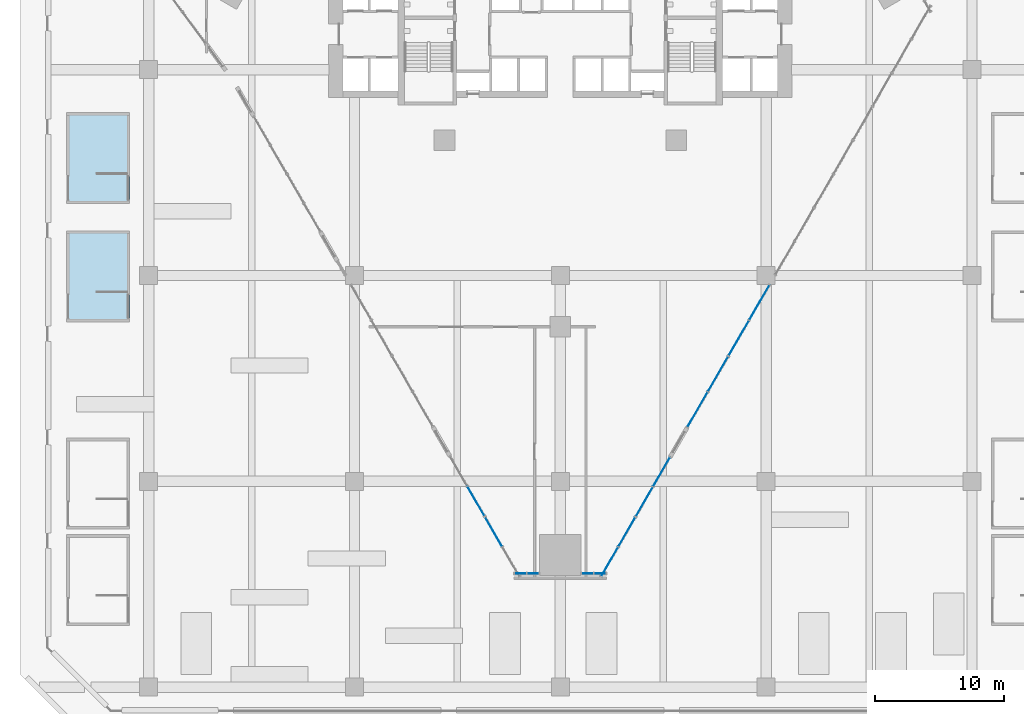
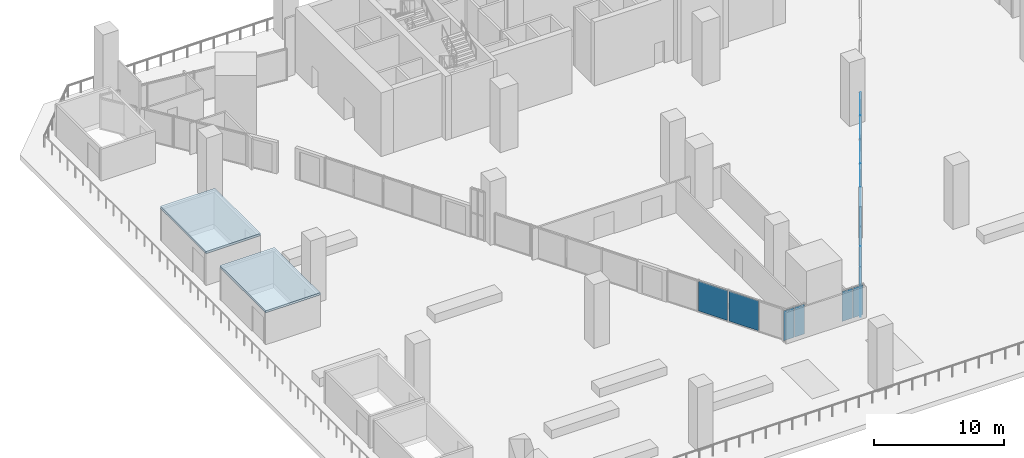
# One storey, part 14 of 25: 14 plates, 2 slabs, 8 elements without a shape of their own.
"""IFC4 building model written with IfcOpenShell, lengths in metres."""

from ifc_helpers import new_model, si_unit, direction, frame, origin, origin_2d, place, context, subcontext, project, spatial, polyline, rectangle, outline, extrude, material, layer, layer_set, type_object, element, aggregate, save


model = new_model("IFC4")

# Units and contexts
model_context = context("Model", 3, precision=1e-05, world=origin(), true_north=direction((0.0, 1.0)))
body_context = subcontext(model_context, "Body", "Model", "MODEL_VIEW")
ifc_project = project(units=[si_unit("LENGTHUNIT", "METRE"), si_unit("AREAUNIT", "SQUARE_METRE"), si_unit("VOLUMEUNIT", "CUBIC_METRE"), si_unit("PLANEANGLEUNIT", "RADIAN"), si_unit("MASSUNIT", "GRAM", prefix="KILO")], contexts=[model_context])

# Site, building, storey
site_placement = place(None, origin())
site = spatial("IfcSite", under=ifc_project, at=site_placement, CompositionType="ELEMENT")
building_placement = place(site_placement, origin())
building = spatial("IfcBuilding", under=site, at=building_placement, Name="Calabash Gate Tower", CompositionType="ELEMENT")
storey_placement = place(building_placement, frame((0.0, 0.0, 40.0)))
storey = spatial("IfcBuildingStorey", under=building, at=storey_placement, Name="L05", CompositionType="ELEMENT", Elevation=40.0)

# Curtain wall, plate
ifc_material_1 = material(Name="Anodised aluminium frame, bronze finish, clear laminated impact-rated glazing", Category="aluminium")
curtain_wall_type = type_object("IfcCurtainWallType", Name="Curtain wall CWF podium shopfront", PredefinedType="NOTDEFINED", material=ifc_material_1)
curtain_wall_1_placement = place(storey_placement, origin())
curtain_wall_1 = element("IfcCurtainWall", 1, at=curtain_wall_1_placement, inside=storey, type_object=curtain_wall_type, Name="Curtain wall CWF L05 lobby 0.3.0", PredefinedType="NOTDEFINED")
ifc_material_2 = material(Name="Clear laminated impact-rated glazing", Category="glass")
ifc_layer_1 = layer(ifc_material_2, 0.035888671875)
ifc_layer_set_1 = layer_set([ifc_layer_1], Name="Glass panel CWF 36")
plate_type = type_object("IfcPlateType", Name="Glass panel CWF 36", PredefinedType="CURTAIN_PANEL", material=ifc_layer_set_1)
plate_1_placement = place(storey_placement, frame((-6.558837890625, -25.545166015625, 0.06494140625), z_axis=(0.0, 0.0, 1.0), x_axis=(0.500000013876, -0.866025395773, 0.0)))
plate_1 = element("IfcPlate", 2, at=plate_1_placement, type_object=plate_type, Name="CWF panel 2.1", PredefinedType="CURTAIN_PANEL", context=body_context, shape_type="SweptSolid", body=[
    extrude(rectangle(XDim=2.61865234375, YDim=0.035888671875, at=origin_2d()), origin(), (0.0, 0.0, 1.0), 2.820068359375),
])
aggregate(curtain_wall_1, [plate_1])

curtain_wall_2_placement = place(storey_placement, origin())
curtain_wall_2 = element("IfcCurtainWall", 3, at=curtain_wall_2_placement, inside=storey, type_object=curtain_wall_type, Name="Curtain wall CWF L05 lobby 0.3.1", PredefinedType="NOTDEFINED")
plate_2_placement = place(storey_placement, frame((-5.184326171875, -27.925537109375, 0.06494140625), z_axis=(0.0, 0.0, 1.0), x_axis=(0.499999934159, -0.866025441798, 0.0)))
plate_2 = element("IfcPlate", 4, at=plate_2_placement, type_object=plate_type, Name="CWF panel 1.1", PredefinedType="CURTAIN_PANEL", context=body_context, shape_type="SweptSolid", body=[
    extrude(rectangle(XDim=2.61865234375, YDim=0.035888671875, at=origin_2d()), origin(), (0.0, 0.0, 1.0), 2.820068359375),
])
aggregate(curtain_wall_2, [plate_2])

# Curtain wall, plates
curtain_wall_3_placement = place(storey_placement, origin())
curtain_wall_3 = element("IfcCurtainWall", 5, at=curtain_wall_3_placement, inside=storey, type_object=curtain_wall_type, Name="Curtain wall CWF L05 lobby 1.0.0", PredefinedType="NOTDEFINED")
plate_3_placement = place(storey_placement, frame((-3.084228515625, -31.18310546875, 0.06494140625), z_axis=(0.0, 0.0, 1.0), x_axis=(1.0, 0.0, 0.0)))
plate_3 = element("IfcPlate", 6, at=plate_3_placement, type_object=plate_type, Name="CWF panel 1.1", PredefinedType="CURTAIN_PANEL", context=body_context, shape_type="SweptSolid", body=[
    extrude(rectangle(XDim=0.901611328125, YDim=0.035888671875, at=origin_2d()), origin(), (0.0, 0.0, 1.0), 2.820068359375),
])
plate_4_placement = place(storey_placement, frame((-2.11767578125, -31.18310546875, 0.06494140625), z_axis=(0.0, 0.0, 1.0), x_axis=(1.0, 0.0, 0.0)))
plate_4 = element("IfcPlate", 7, at=plate_4_placement, type_object=plate_type, Name="CWF panel 2.1", PredefinedType="CURTAIN_PANEL", context=body_context, shape_type="SweptSolid", body=[
    extrude(rectangle(XDim=0.901611328125, YDim=0.035888671875, at=origin_2d()), origin(), (0.0, 0.0, 1.0), 2.820068359375),
])
aggregate(curtain_wall_3, [plate_3, plate_4])

curtain_wall_4_placement = place(storey_placement, origin())
curtain_wall_4 = element("IfcCurtainWall", 8, at=curtain_wall_4_placement, inside=storey, type_object=curtain_wall_type, Name="Curtain wall CWF L05 lobby 1.1.0", PredefinedType="NOTDEFINED")
plate_5_placement = place(storey_placement, frame((2.11767578125, -31.18310546875, 0.06494140625), z_axis=(0.0, 0.0, 1.0), x_axis=(1.0, 0.0, 0.0)))
plate_5 = element("IfcPlate", 9, at=plate_5_placement, type_object=plate_type, Name="CWF panel 1.1", PredefinedType="CURTAIN_PANEL", context=body_context, shape_type="SweptSolid", body=[
    extrude(rectangle(XDim=0.901611328125, YDim=0.035888671875, at=origin_2d()), origin(), (0.0, 0.0, 1.0), 2.820068359375),
])
plate_6_placement = place(storey_placement, frame((3.084228515625, -31.18310546875, 0.06494140625), z_axis=(0.0, 0.0, 1.0), x_axis=(1.0, 0.0, 0.0)))
plate_6 = element("IfcPlate", 10, at=plate_6_placement, type_object=plate_type, Name="CWF panel 2.1", PredefinedType="CURTAIN_PANEL", context=body_context, shape_type="SweptSolid", body=[
    extrude(rectangle(XDim=0.901611328125, YDim=0.035888671875, at=origin_2d()), origin(), (0.0, 0.0, 1.0), 2.820068359375),
])
aggregate(curtain_wall_4, [plate_5, plate_6])

curtain_wall_5_placement = place(storey_placement, origin())
curtain_wall_5 = element("IfcCurtainWall", 11, at=curtain_wall_5_placement, inside=storey, type_object=curtain_wall_type, Name="Curtain wall CWF L05 lobby 2.0.0", PredefinedType="NOTDEFINED")
plate_7_placement = place(storey_placement, frame((3.838134765625, -30.25732421875, 0.06494140625), z_axis=(0.0, 0.0, 1.0), x_axis=(0.499999940371, 0.866025438211, 0.0)))
plate_7 = element("IfcPlate", 12, at=plate_7_placement, type_object=plate_type, Name="CWF panel 1.1", PredefinedType="CURTAIN_PANEL", context=body_context, shape_type="SweptSolid", body=[
    extrude(rectangle(XDim=2.60107421875, YDim=0.035888671875, at=origin_2d()), origin(), (0.0, 0.0, 1.0), 2.820068359375),
])
plate_8_placement = place(storey_placement, frame((5.171142578125, -27.9482421875, 0.06494140625), z_axis=(0.0, 0.0, 1.0), x_axis=(0.499999940371, 0.866025438211, 0.0)))
plate_8 = element("IfcPlate", 13, at=plate_8_placement, type_object=plate_type, Name="CWF panel 2.1", PredefinedType="CURTAIN_PANEL", context=body_context, shape_type="SweptSolid", body=[
    extrude(rectangle(XDim=2.60107421875, YDim=0.035888671875, at=origin_2d()), origin(), (0.0, 0.0, 1.0), 2.820068359375),
])
aggregate(curtain_wall_5, [plate_7, plate_8])

curtain_wall_6_placement = place(storey_placement, origin())
curtain_wall_6 = element("IfcCurtainWall", 14, at=curtain_wall_6_placement, inside=storey, type_object=curtain_wall_type, Name="Curtain wall CWF L05 lobby 2.0.1", PredefinedType="NOTDEFINED")
plate_9_placement = place(storey_placement, frame((6.536865234375, -25.583251953125, 0.06494140625), z_axis=(0.0, 0.0, 1.0), x_axis=(0.500000020602, 0.86602539189, 0.0)))
plate_9 = element("IfcPlate", 15, at=plate_9_placement, type_object=plate_type, Name="CWF panel 1.1", PredefinedType="CURTAIN_PANEL", context=body_context, shape_type="SweptSolid", body=[
    extrude(rectangle(XDim=2.60107421875, YDim=0.035888671875, at=origin_2d()), origin(), (0.0, 0.0, 1.0), 2.820068359375),
])
plate_10_placement = place(storey_placement, frame((7.869873046875, -23.274169921875, 0.06494140625), z_axis=(0.0, 0.0, 1.0), x_axis=(0.500000020602, 0.86602539189, 0.0)))
plate_10 = element("IfcPlate", 16, at=plate_10_placement, type_object=plate_type, Name="CWF panel 2.1", PredefinedType="CURTAIN_PANEL", context=body_context, shape_type="SweptSolid", body=[
    extrude(rectangle(XDim=2.60107421875, YDim=0.035888671875, at=origin_2d()), origin(), (0.0, 0.0, 1.0), 2.820068359375),
])
aggregate(curtain_wall_6, [plate_9, plate_10])

curtain_wall_7_placement = place(storey_placement, origin())
curtain_wall_7 = element("IfcCurtainWall", 17, at=curtain_wall_7_placement, inside=storey, type_object=curtain_wall_type, Name="Curtain wall CWF L05 lobby 2.1.0", PredefinedType="NOTDEFINED")
plate_11_placement = place(storey_placement, frame((10.66455078125, -18.43359375, 0.06494140625), z_axis=(0.0, 0.0, 1.0), x_axis=(0.49999996522, 0.866025423864, 0.0)))
plate_11 = element("IfcPlate", 18, at=plate_11_placement, type_object=plate_type, Name="CWF panel 1.1", PredefinedType="CURTAIN_PANEL", context=body_context, shape_type="SweptSolid", body=[
    extrude(rectangle(XDim=3.11767578125, YDim=0.035888671875, at=origin_2d()), origin(), (0.0, 0.0, 1.0), 2.820068359375),
])
plate_12_placement = place(storey_placement, frame((12.255859375, -15.67724609375, 0.06494140625), z_axis=(0.0, 0.0, 1.0), x_axis=(0.49999996522, 0.866025423864, 0.0)))
plate_12 = element("IfcPlate", 19, at=plate_12_placement, type_object=plate_type, Name="CWF panel 2.1", PredefinedType="CURTAIN_PANEL", context=body_context, shape_type="SweptSolid", body=[
    extrude(rectangle(XDim=3.11767578125, YDim=0.035888671875, at=origin_2d()), origin(), (0.0, 0.0, 1.0), 2.820068359375),
])
aggregate(curtain_wall_7, [plate_11, plate_12])

curtain_wall_8_placement = place(storey_placement, origin())
curtain_wall_8 = element("IfcCurtainWall", 20, at=curtain_wall_8_placement, inside=storey, type_object=curtain_wall_type, Name="Curtain wall CWF L05 lobby 2.1.1", PredefinedType="NOTDEFINED")
plate_13_placement = place(storey_placement, frame((13.879638671875, -12.86474609375, 0.06494140625), z_axis=(0.0, 0.0, 1.0), x_axis=(0.500000081848, 0.86602535653, 0.0)))
plate_13 = element("IfcPlate", 21, at=plate_13_placement, type_object=plate_type, Name="CWF panel 1.1", PredefinedType="CURTAIN_PANEL", context=body_context, shape_type="SweptSolid", body=[
    extrude(rectangle(XDim=3.11767578125, YDim=0.035888671875, at=origin_2d()), origin(), (0.0, 0.0, 1.0), 2.820068359375),
])
plate_14_placement = place(storey_placement, frame((15.47119140625, -10.1083984375, 0.06494140625), z_axis=(0.0, 0.0, 1.0), x_axis=(0.500000081848, 0.86602535653, 0.0)))
plate_14 = element("IfcPlate", 22, at=plate_14_placement, type_object=plate_type, Name="CWF panel 2.1", PredefinedType="CURTAIN_PANEL", context=body_context, shape_type="SweptSolid", body=[
    extrude(rectangle(XDim=3.11767578125, YDim=0.035888671875, at=origin_2d()), origin(), (0.0, 0.0, 1.0), 2.820068359375),
])
aggregate(curtain_wall_8, [plate_13, plate_14])

# Slabs
ifc_material_3 = material(Name="Concrete C40/50", Category="concrete")
ifc_layer_2 = layer(ifc_material_3, 0.199951171875)
ifc_layer_set_2 = layer_set([ifc_layer_2], Name="Stair head house roof 200")
slab_type = type_object("IfcSlabType", Name="Stair head house roof 200", PredefinedType="ROOF", material=ifc_layer_set_2)
slab_1_placement = place(storey_placement, frame((0.0, 0.0, 3.0)))
element("IfcSlab", 23, at=slab_1_placement, inside=storey, type_object=slab_type, Name="Head house roof PS3", PredefinedType="ROOF", context=body_context, shape_type="SweptSolid", body=[
    extrude(outline(polyline([(-33.5, -11.60009765625), (-38.3701171875, -11.60009765625), (-38.3701171875, -4.550048828125), (-33.5, -4.550048828125), (-33.5, -11.60009765625)])), origin(), (0.0, 0.0, 1.0), 0.199951171875),
])
slab_2_placement = place(storey_placement, frame((0.0, 0.0, 3.0)))
element("IfcSlab", 24, at=slab_2_placement, inside=storey, type_object=slab_type, Name="Head house roof PS4", PredefinedType="ROOF", context=body_context, shape_type="SweptSolid", body=[
    extrude(outline(polyline([(-33.5, -2.39990234375), (-38.3701171875, -2.39990234375), (-38.3701171875, 4.64990234375), (-33.5, 4.64990234375), (-33.5, -2.39990234375)])), origin(), (0.0, 0.0, 1.0), 0.199951171875),
])

save(model, "model.ifc")
